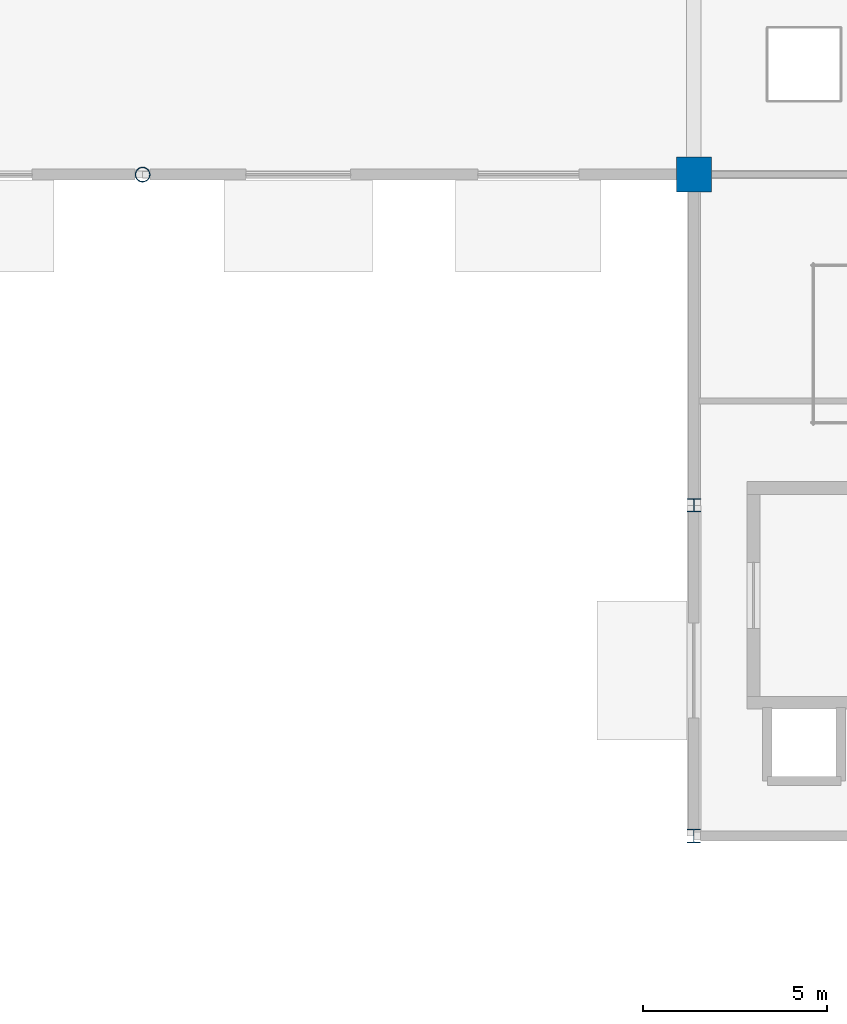
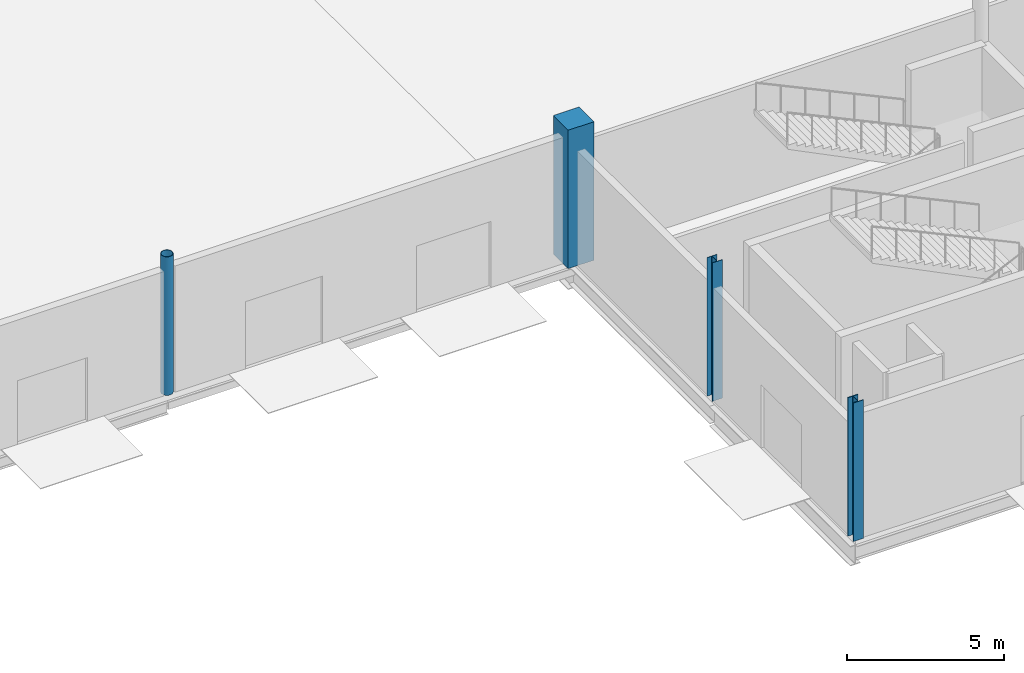
# One storey, part 2 of 94: 4 columns.
"""IFC4 building model written with IfcOpenShell, lengths in metres."""

import ifcopenshell
import ifcopenshell.guid

model = None  # the IFC model being written
_history = None  # IfcOwnerHistory: only IFC2X3 demands one
_inside = {}  # id of a spatial element -> (the spatial element, [elements in it])
_under = {}  # id of a project, library or spatial element -> (it, [spatial elements below it])
_declared = {}  # id of a project -> (the project, [libraries it declares])
_typed = {}  # id of a type object -> (the type object, [elements of that type])
_made_of = {}  # id of a material, layer set ... -> (it, [elements and type objects made of it])


def new_model(schema):
    """Start an empty IFC model of exactly this schema.

    Asked for "IFC4X3", IfcOpenShell would pick the latest addendum, in which some entities
    have other attributes; the version numbers below select the first issue.
    IFC2X3 requires an IfcOwnerHistory on every rooted entity: one is made here for all.
    """
    global model, _history
    if schema == "IFC4X3":
        model = ifcopenshell.file(schema_version=(4, 3, 0, 0))
    else:
        model = ifcopenshell.file(schema=schema)
    _inside.clear()
    _under.clear()
    _declared.clear()
    _typed.clear()
    _made_of.clear()
    _history = None
    if model.schema == "IFC2X3":
        org = make("IfcOrganization", Name="unknown")
        user = make(
            "IfcPersonAndOrganization",
            ThePerson=make("IfcPerson", FamilyName="unknown"),
            TheOrganization=org,
        )
        app = make(
            "IfcApplication",
            ApplicationDeveloper=org,
            Version="unknown",
            ApplicationFullName="unknown",
            ApplicationIdentifier="unknown",
        )
        _history = make(
            "IfcOwnerHistory",
            OwningUser=user,
            OwningApplication=app,
            ChangeAction="ADDED",
            CreationDate=0,
        )
    return model


def make(cls, **values):
    """One entity of the class cls with the attributes given. An attribute that is None is left unset."""
    return model.create_entity(
        cls, **{name: value for name, value in values.items() if value is not None}
    )


def rooted(cls, **values):
    """An entity with a GlobalId (a new one), such as an element, a storey or a relation."""
    return make(cls, GlobalId=ifcopenshell.guid.new(), OwnerHistory=_history, **values)


def si_unit(unit_type, name, prefix=None):
    """IfcSIUnit, for example si_unit("LENGTHUNIT", "METRE", prefix="MILLI")."""
    return make("IfcSIUnit", UnitType=unit_type, Prefix=prefix, Name=name)


def assignment(units):
    """IfcUnitAssignment: the units of a project."""
    return None if units is None else make("IfcUnitAssignment", Units=units)


def point(xyz):
    """IfcCartesianPoint."""
    return None if xyz is None else make("IfcCartesianPoint", Coordinates=xyz)


def direction(xyz):
    """IfcDirection."""
    return None if xyz is None else make("IfcDirection", DirectionRatios=xyz)


def frame(location, z_axis=None, x_axis=None):
    """IfcAxis2Placement3D, a coordinate frame: its origin and axes. An axis left out is left unset."""
    return make(
        "IfcAxis2Placement3D",
        Location=point(location),
        Axis=direction(z_axis),
        RefDirection=direction(x_axis),
    )


def frame_2d(location, x_axis=None):
    """IfcAxis2Placement2D, a coordinate frame in the plane: its origin and x axis."""
    return make(
        "IfcAxis2Placement2D", Location=point(location), RefDirection=direction(x_axis)
    )


def origin():
    """The frame at (0, 0, 0) with its axes left unset."""
    return frame((0.0, 0.0, 0.0))


def origin_2d():
    """The frame at (0, 0) in the plane with its x axis left unset."""
    return frame_2d((0.0, 0.0))


def place(relative_to, where):
    """IfcLocalPlacement: puts the frame where relative to a parent placement (None: the world)."""
    return make(
        "IfcLocalPlacement", PlacementRelTo=relative_to, RelativePlacement=where
    )


def context(
    kind, dimensions, precision=None, world=None, true_north=None, identifier=None
):
    """IfcGeometricRepresentationContext, for example the 3D "Model" context."""
    return make(
        "IfcGeometricRepresentationContext",
        ContextIdentifier=identifier,
        ContextType=kind,
        CoordinateSpaceDimension=dimensions,
        Precision=precision,
        WorldCoordinateSystem=world,
        TrueNorth=true_north,
    )


def subcontext(parent, identifier, kind, view, scale=None):
    """IfcGeometricRepresentationSubContext, for example "Body" below "Model"."""
    return make(
        "IfcGeometricRepresentationSubContext",
        ContextIdentifier=identifier,
        ContextType=kind,
        ParentContext=parent,
        TargetScale=scale,
        TargetView=view,
    )


def project(units=None, contexts=None):
    """IfcProject with its units and contexts."""
    return rooted(
        "IfcProject",
        Name="project",
        RepresentationContexts=contexts,
        UnitsInContext=assignment(units),
    )


def spatial(cls, under=None, at=None, **own):
    """A site, building, storey or space (cls), placed at a placement, below another one or the project."""
    s = rooted(cls, ObjectPlacement=at, **own)
    if under is not None:
        _under.setdefault(under.id(), (under, []))[1].append(s)
    return s


def profile(cls, at=None, kind="AREA", **sizes):
    """A parametric profile (cls). Its sizes go by their IFC names, for example OverallWidth=200.0."""
    return make(cls, ProfileType=kind, Position=at, **sizes)


def rectangle(**sizes):
    """IfcRectangleProfileDef."""
    return profile("IfcRectangleProfileDef", **sizes)


def hollow_circle(**sizes):
    """IfcCircleHollowProfileDef."""
    return profile("IfcCircleHollowProfileDef", **sizes)


def i_section(**sizes):
    """IfcIShapeProfileDef."""
    return profile("IfcIShapeProfileDef", **sizes)


def extrude(swept, where, along, depth):
    """IfcExtrudedAreaSolid: the profile swept, set in the frame where, extruded along a direction by depth."""
    return make(
        "IfcExtrudedAreaSolid",
        SweptArea=swept,
        Position=where,
        ExtrudedDirection=direction(along),
        Depth=depth,
    )


def shape(context_of_items, identifier, shape_type, items):
    """IfcShapeRepresentation: the items that make up one representation, for example the "Body"."""
    return make(
        "IfcShapeRepresentation",
        ContextOfItems=context_of_items,
        RepresentationIdentifier=identifier,
        RepresentationType=shape_type,
        Items=items,
    )


def material(Name=None, Category=None):
    """IfcMaterial."""
    return make("IfcMaterial", Name=Name, Category=Category)


def material_profile(
    of_material, cross_section, Name=None, Category=None, Priority=None
):
    """IfcMaterialProfile: a cross section and its material."""
    return make(
        "IfcMaterialProfile",
        Name=Name,
        Material=of_material,
        Profile=cross_section,
        Priority=Priority,
        Category=Category,
    )


def profile_set(profiles, Name=None, composite=None):
    """IfcMaterialProfileSet."""
    return make(
        "IfcMaterialProfileSet",
        Name=Name,
        MaterialProfiles=profiles,
        CompositeProfile=composite,
    )


def made_of(thing, what):
    """Note that an element or type object is made of a material, layer set ...; save() writes the relation."""
    if what is not None:
        _made_of.setdefault(what.id(), (what, []))[1].append(thing)
    return thing


def type_object(cls, material=None, **own):
    """A type object (cls), such as IfcWallType, which elements share."""
    return made_of(rooted(cls, **own), material)


def element(
    cls,
    number,
    at=None,
    inside=None,
    cuts=None,
    type_object=None,
    material=None,
    context=None,
    identifier="Body",
    shape_type=None,
    held_by="IfcProductDefinitionShape",
    body=None,
    shapes=None,
    **own,
):
    """One element of the class cls, such as IfcWall. Its Tag is "e" and its number.

    at: its placement. inside: the storey or other place that contains it. cuts: it is an
    opening in that element (IfcRelVoidsElement). A single representation is given by context,
    identifier, shape_type and body (its items); several are given by shapes. held_by: the class
    of the entity that holds the representations. save() writes the other relations.
    """
    e = rooted(cls, Tag="e%d" % number, ObjectPlacement=at, **own)
    if body is not None:
        shapes = [shape(context, identifier, shape_type, body)]
    if shapes is not None:
        e.Representation = make(held_by, Representations=shapes)
    if inside is not None:
        _inside.setdefault(inside.id(), (inside, []))[1].append(e)
    if cuts is not None:
        rooted(
            "IfcRelVoidsElement", RelatingBuildingElement=cuts, RelatedOpeningElement=e
        )
    if type_object is not None:
        _typed.setdefault(type_object.id(), (type_object, []))[1].append(e)
    return made_of(e, material)


def aggregate(whole, parts):
    """IfcRelAggregates: a whole, such as a stair, and the parts it consists of."""
    return rooted("IfcRelAggregates", RelatingObject=whole, RelatedObjects=parts)


def save(model, path):
    """Write the relations noted so far, then the file.

    IfcRelAggregates (storeys below a building ...), IfcRelContainedInSpatialStructure (elements
    in a storey), IfcRelDefinesByType, IfcRelAssociatesMaterial and IfcRelDeclares: one each for
    every whole, place, type object, material and project.
    """
    for whole, parts in _under.values():
        aggregate(whole, parts)
    for where, things in _inside.values():
        rooted(
            "IfcRelContainedInSpatialStructure",
            RelatedElements=things,
            RelatingStructure=where,
        )
    for kind, things in _typed.values():
        rooted("IfcRelDefinesByType", RelatedObjects=things, RelatingType=kind)
    for what, things in _made_of.values():
        rooted("IfcRelAssociatesMaterial", RelatedObjects=things, RelatingMaterial=what)
    for by, libraries in _declared.values():
        rooted("IfcRelDeclares", RelatingContext=by, RelatedDefinitions=libraries)
    model.write(path)


model = new_model("IFC4")

# Units and contexts
model_context = context("Model", 3, precision=1e-05, world=origin(), true_north=direction((0.0, 1.0)))
body_context = subcontext(model_context, "Body", "Model", "MODEL_VIEW")
ifc_project = project(units=[si_unit("LENGTHUNIT", "METRE"), si_unit("AREAUNIT", "SQUARE_METRE"), si_unit("VOLUMEUNIT", "CUBIC_METRE"), si_unit("PLANEANGLEUNIT", "RADIAN"), si_unit("MASSUNIT", "GRAM", prefix="KILO")], contexts=[model_context])

# Site, building, storey
site_placement = place(None, origin())
site = spatial("IfcSite", under=ifc_project, at=site_placement, CompositionType="ELEMENT")
building_placement = place(site_placement, origin())
building = spatial("IfcBuilding", under=site, at=building_placement, Name="Qamarlyn Nura Convention Centre", CompositionType="ELEMENT")
storey_placement = place(building_placement, origin())
storey = spatial("IfcBuildingStorey", under=building, at=storey_placement, Name="L00", CompositionType="ELEMENT", Elevation=0.0)

# Columns
ifc_material_1 = material(Name="Concrete C50/60", Category="concrete")
ifc_material_profile_1 = material_profile(ifc_material_1, rectangle(XDim=0.949951171875, YDim=0.949951171875, at=origin_2d()), Name="RC 950x950")
ifc_profile_set_1 = profile_set([ifc_material_profile_1], Name="Concrete C50/60")
column_type_1 = type_object("IfcColumnType", Name="COL-HALL-2", PredefinedType="COLUMN", material=ifc_profile_set_1)
column_1_placement = place(storey_placement, frame((60.0, 18.0, 0.0), z_axis=(0.0, 0.0, 1.0), x_axis=(1.0, 0.0, 0.0)))
element("IfcColumn", 1, at=column_1_placement, inside=storey, type_object=column_type_1, Name="L00 column 5/C", PredefinedType="COLUMN", context=body_context, shape_type="SweptSolid", body=[
    extrude(rectangle(XDim=0.949951171875, YDim=0.949951171875, at=origin_2d()), origin(), (0.0, 0.0, 1.0), 5.39990234375),
])
ifc_material_2 = material(Name="Pearl-white PVDF steel ASTM A500 Grade C", Category="steel")
ifc_material_profile_2 = material_profile(ifc_material_2, hollow_circle(Radius=0.203125, WallThickness=0.01611328125, at=origin_2d()), Name="CHS406.4X16")
ifc_profile_set_2 = profile_set([ifc_material_profile_2], Name="Pearl-white PVDF steel ASTM A500 Grade C")
column_type_2 = type_object("IfcColumnType", Name="COL-TUBE-1", PredefinedType="COLUMN", material=ifc_profile_set_2)
column_2_placement = place(storey_placement, frame((45.0, 18.0, 0.0), z_axis=(0.0, 0.0, 1.0), x_axis=(1.0, 0.0, 0.0)))
element("IfcColumn", 2, at=column_2_placement, inside=storey, type_object=column_type_2, Name="L00 column 4/C", PredefinedType="COLUMN", context=body_context, shape_type="SweptSolid", body=[
    extrude(hollow_circle(Radius=0.203125, WallThickness=0.01611328125, at=origin_2d()), origin(), (0.0, 0.0, 1.0), 5.39990234375),
])
ifc_material_3 = material(Name="Steel ASTM A992", Category="steel")
ifc_material_profile_3 = material_profile(ifc_material_3, i_section(OverallWidth=0.3740234375, OverallDepth=0.3720703125, WebThickness=0.016357421875, FlangeThickness=0.026123046875, FilletRadius=0.01611328125, at=origin_2d()), Name="W360X196")
ifc_profile_set_3 = profile_set([ifc_material_profile_3], Name="Steel ASTM A992")
column_type_3 = type_object("IfcColumnType", Name="COL-WING-2", PredefinedType="COLUMN", material=ifc_profile_set_3)
column_3_placement = place(storey_placement, frame((60.0, 0.0, 0.0), z_axis=(0.0, 0.0, 1.0), x_axis=(1.0, 0.0, 0.0)))
element("IfcColumn", 3, at=column_3_placement, inside=storey, type_object=column_type_3, Name="L00 column 5/A", PredefinedType="COLUMN", context=body_context, shape_type="SweptSolid", body=[
    extrude(i_section(OverallWidth=0.3740234375, OverallDepth=0.3720703125, WebThickness=0.016357421875, FlangeThickness=0.026123046875, FilletRadius=0.01611328125, at=origin_2d()), origin(), (0.0, 0.0, 1.0), 5.39990234375),
])
ifc_material_profile_4 = material_profile(ifc_material_3, i_section(OverallWidth=0.368896484375, OverallDepth=0.35595703125, WebThickness=0.01123046875, FlangeThickness=0.01806640625, FilletRadius=0.014892578125, at=origin_2d()), Name="W360X134")
ifc_profile_set_4 = profile_set([ifc_material_profile_4], Name="Steel ASTM A992")
column_type_4 = type_object("IfcColumnType", Name="COL-WING-3", PredefinedType="COLUMN", material=ifc_profile_set_4)
column_4_placement = place(storey_placement, frame((60.0, 9.0, 0.0), z_axis=(0.0, 0.0, 1.0), x_axis=(1.0, 0.0, 0.0)))
element("IfcColumn", 4, at=column_4_placement, inside=storey, type_object=column_type_4, Name="L00 column 5/B", PredefinedType="COLUMN", context=body_context, shape_type="SweptSolid", body=[
    extrude(i_section(OverallWidth=0.368896484375, OverallDepth=0.35595703125, WebThickness=0.01123046875, FlangeThickness=0.01806640625, FilletRadius=0.014892578125, at=origin_2d()), origin(), (0.0, 0.0, 1.0), 5.39990234375),
])

save(model, "model.ifc")
